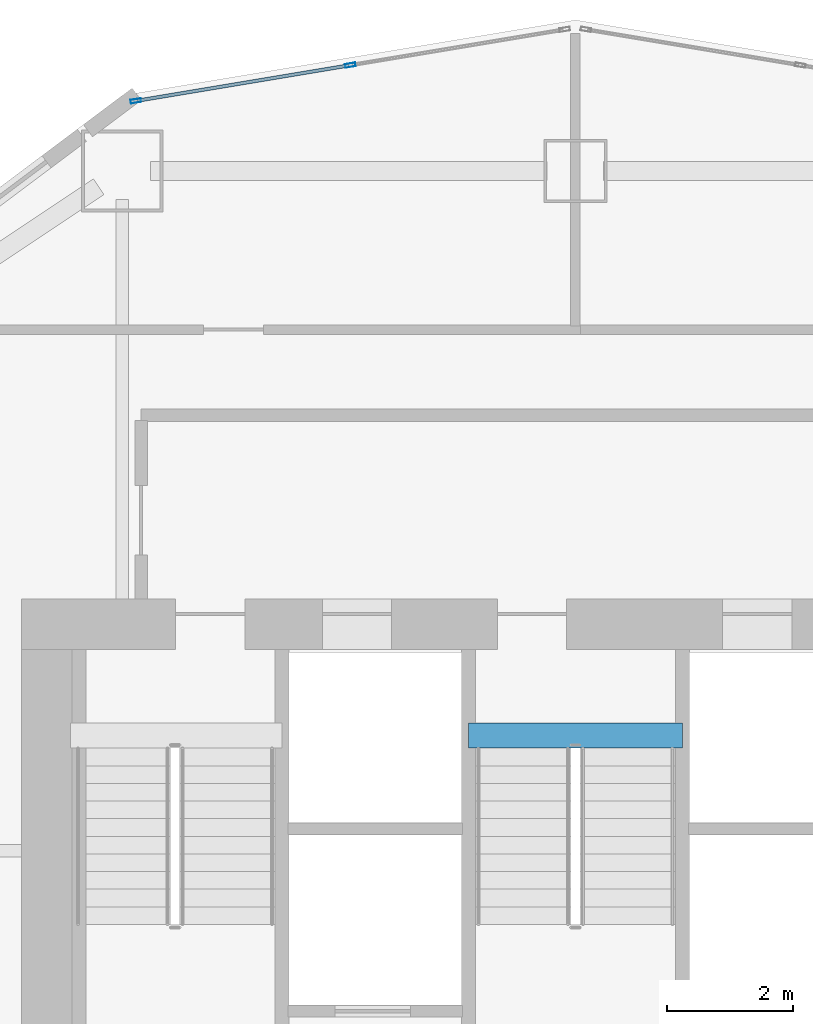
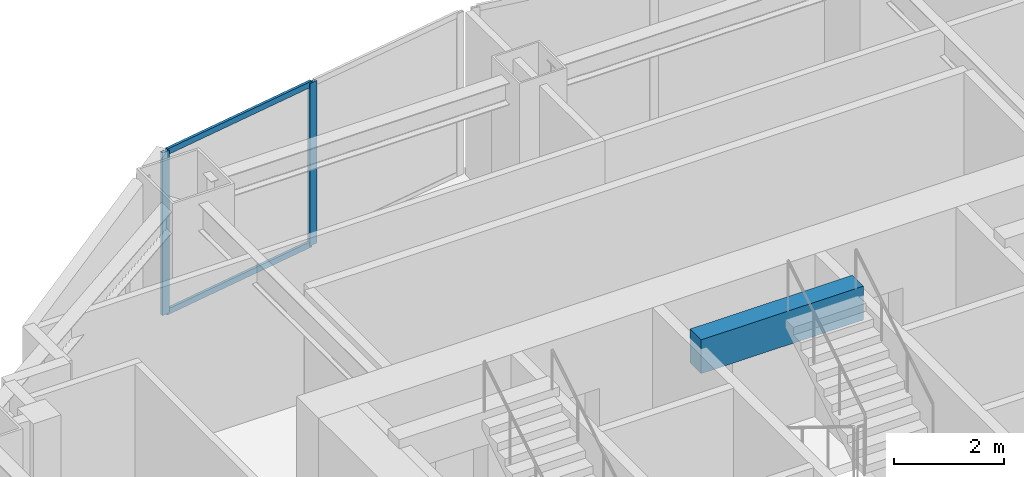
# One storey, part 2 of 17: 4 members, 1 beam, 1 element without a shape of its own.
"""IFC4 building model written with IfcOpenShell, lengths in metres."""

from ifc_helpers import new_model, si_unit, direction, frame, origin, origin_2d, place, context, subcontext, project, spatial, rectangle, hollow_rectangle, extrude, material, layer, layer_set, material_profile, profile_set, type_object, element, aggregate, save


model = new_model("IFC4")

# Units and contexts
model_context = context("Model", 3, precision=1e-05, world=origin(), true_north=direction((0.0, 1.0)))
body_context = subcontext(model_context, "Body", "Model", "MODEL_VIEW")
ifc_project = project(units=[si_unit("LENGTHUNIT", "METRE"), si_unit("AREAUNIT", "SQUARE_METRE"), si_unit("VOLUMEUNIT", "CUBIC_METRE"), si_unit("PLANEANGLEUNIT", "RADIAN"), si_unit("MASSUNIT", "GRAM", prefix="KILO")], contexts=[model_context])

# Site, building, storey
site_placement = place(None, origin())
site = spatial("IfcSite", under=ifc_project, at=site_placement, CompositionType="ELEMENT")
building_placement = place(site_placement, origin())
building = spatial("IfcBuilding", under=site, at=building_placement, Name="Haolan Belvedere Tower", CompositionType="ELEMENT")
storey_placement = place(building_placement, frame((0.0, 0.0, 27.800048828125)))
storey = spatial("IfcBuildingStorey", under=building, at=storey_placement, Name="L06", CompositionType="ELEMENT", Elevation=27.800048828125)

# Beam
ifc_material_1 = material(Name="Concrete C50/60", Category="concrete")
ifc_material_profile_1 = material_profile(ifc_material_1, rectangle(XDim=0.39990234375, YDim=0.75, at=origin_2d()), Name="Concrete C50/60")
ifc_profile_set_1 = profile_set([ifc_material_profile_1], Name="Concrete C50/60")
beam_type = type_object("IfcBeamType", Name="BM-RC400x750", PredefinedType="T_BEAM", material=ifc_profile_set_1)
beam_placement = place(storey_placement, frame((36.699951171875, 41.429931640625, 3.425048828125), z_axis=(1.0, 0.0, 0.0), x_axis=(0.0, 1.0, 0.0)))
element("IfcBeam", 1, at=beam_placement, inside=storey, type_object=beam_type, Name="L07 stair ST3 RC header trimmer beam", PredefinedType="BEAM", context=body_context, shape_type="SweptSolid", body=[
    extrude(rectangle(XDim=0.39990234375, YDim=0.75, at=origin_2d()), origin(), (0.0, 0.0, 1.0), 3.400146484375),
])

# Curtain wall, members
ifc_material_2 = material(Name="Anodised champagne-silver aluminium 6063-T6 and Low-E glass", Category="aluminium")
ifc_layer = layer(ifc_material_2, 0.1650390625, Name="Anodised champagne-silver aluminium 6063-T6 and Low-E glass")
ifc_layer_set = layer_set([ifc_layer], Name="Anodised champagne-silver aluminium 6063-T6 and Low-E glass")
curtain_wall_type = type_object("IfcCurtainWallType", Name="CW-SYS-02", PredefinedType="NOTDEFINED", material=ifc_layer_set)
curtain_wall_placement = place(storey_placement, origin())
curtain_wall = element("IfcCurtainWall", 2, at=curtain_wall_placement, inside=storey, type_object=curtain_wall_type, Name="L06 CW-SYS-02 ribbon curtain wall 43.1", PredefinedType="NOTDEFINED")
ifc_material_3 = material(Name="Anodised aluminium 6063-T6", Category="aluminium")
ifc_material_profile_2 = material_profile(ifc_material_3, hollow_rectangle(XDim=0.06005859375, YDim=0.1650390625, WallThickness=0.00390625, at=origin_2d()), Name="Anodised aluminium 6063-T6")
ifc_profile_set_2 = profile_set([ifc_material_profile_2], Name="Anodised aluminium 6063-T6")
member_type_1 = type_object("IfcMemberType", Name="CW-SYS-02-MUL", PredefinedType="MULLION", material=ifc_profile_set_2)
member_1_placement = place(storey_placement, frame((34.82421875, 52.082275390625, 0.0), z_axis=(0.0, 0.0, 1.0), x_axis=(0.16440364043, -0.9863931483, 0.0)))
member_1 = element("IfcMember", 3, at=member_1_placement, type_object=member_type_1, Name="CW-02 mullion 2", PredefinedType="MULLION", context=body_context, shape_type="SweptSolid", body=[
    extrude(hollow_rectangle(XDim=0.06005859375, YDim=0.1650390625, WallThickness=0.00390625, at=origin_2d()), origin(), (0.0, 0.0, 1.0), 3.599853515625),
])
member_2_placement = place(storey_placement, frame((31.416259765625, 51.514404296875, 0.0), z_axis=(0.0, 0.0, 1.0), x_axis=(0.16440364043, -0.9863931483, 0.0)))
member_2 = element("IfcMember", 4, at=member_2_placement, type_object=member_type_1, Name="CW-02 mullion 3", PredefinedType="MULLION", context=body_context, shape_type="SweptSolid", body=[
    extrude(hollow_rectangle(XDim=0.06005859375, YDim=0.1650390625, WallThickness=0.00390625, at=origin_2d()), origin(), (0.0, 0.0, 1.0), 3.599853515625),
])
ifc_material_profile_3 = material_profile(ifc_material_3, hollow_rectangle(XDim=0.054931640625, YDim=0.1298828125, WallThickness=0.00390625, at=origin_2d()), Name="Anodised aluminium 6063-T6")
ifc_profile_set_3 = profile_set([ifc_material_profile_3], Name="Anodised aluminium 6063-T6")
member_type_2 = type_object("IfcMemberType", Name="CW-SYS-02-TRN", PredefinedType="USERDEFINED", material=ifc_profile_set_3)
member_3_placement = place(storey_placement, frame((34.794677734375, 52.077392578125, 0.02734375), z_axis=(-0.986395867289, -0.164387326137, 0.0), x_axis=(0.164387326137, -0.986395867289, 0.0)))
member_3 = element("IfcMember", 5, at=member_3_placement, type_object=member_type_2, Name="CW-02 transom 2.1", ObjectType="TRANSOM", PredefinedType="USERDEFINED", context=body_context, shape_type="SweptSolid", body=[
    extrude(hollow_rectangle(XDim=0.054931640625, YDim=0.1298828125, WallThickness=0.00390625, at=origin_2d()), origin(), (0.0, 0.0, 1.0), 3.39501953125),
])
member_4_placement = place(storey_placement, frame((34.794677734375, 52.077392578125, 3.572509765625), z_axis=(-0.986395867289, -0.164387326137, 0.0), x_axis=(0.164387326137, -0.986395867289, 0.0)))
member_4 = element("IfcMember", 6, at=member_4_placement, type_object=member_type_2, Name="CW-02 transom 2.2", ObjectType="TRANSOM", PredefinedType="USERDEFINED", context=body_context, shape_type="SweptSolid", body=[
    extrude(hollow_rectangle(XDim=0.054931640625, YDim=0.1298828125, WallThickness=0.00390625, at=origin_2d()), origin(), (0.0, 0.0, 1.0), 3.39501953125),
])
aggregate(curtain_wall, [member_1, member_2, member_3, member_4])

save(model, "model.ifc")
